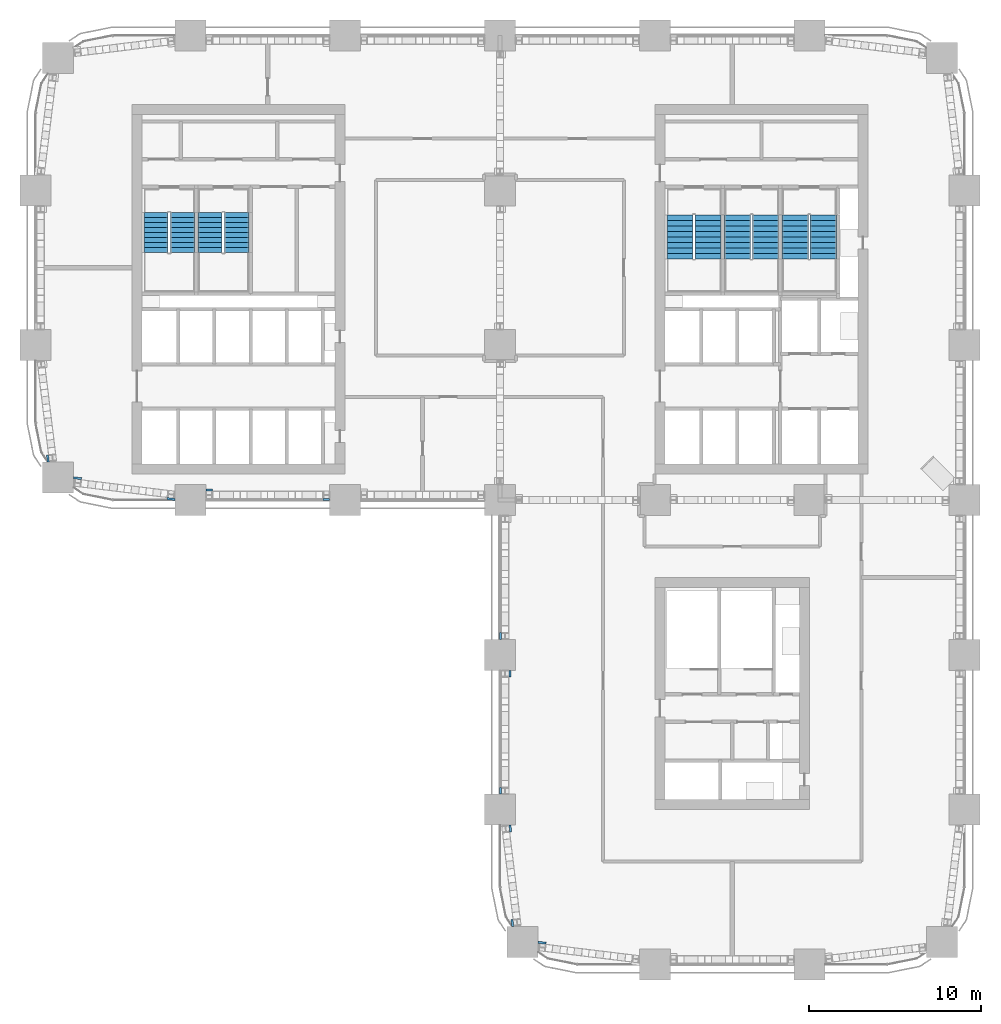
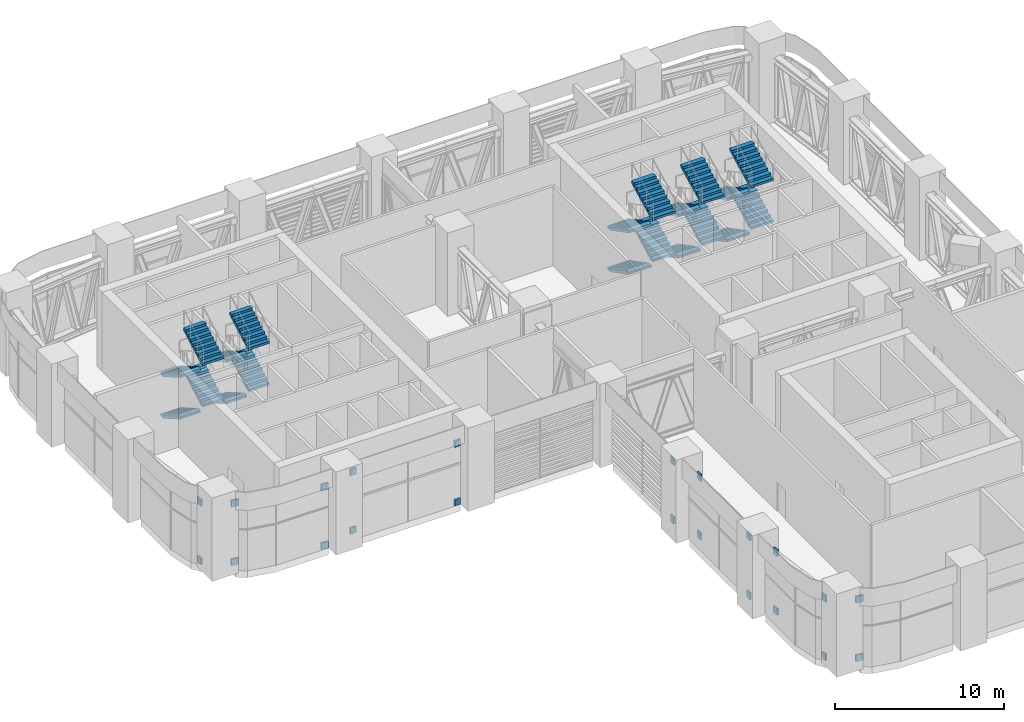
# One storey, part 19 of 24: 22 discrete accessories, 20 stair flights, 5 elements without a shape of their own.
"""IFC4 building model written with IfcOpenShell, lengths in metres."""

from ifc_helpers import new_model, si_unit, direction, frame, origin, place, context, subcontext, project, spatial, polyline, outline, extrude, material, type_object, element, aggregate, save


model = new_model("IFC4")

# Units and contexts
model_context = context("Model", 3, precision=1e-05, world=origin(), true_north=direction((0.0, 1.0)))
body_context = subcontext(model_context, "Body", "Model", "MODEL_VIEW")
ifc_project = project(units=[si_unit("LENGTHUNIT", "METRE"), si_unit("AREAUNIT", "SQUARE_METRE"), si_unit("VOLUMEUNIT", "CUBIC_METRE"), si_unit("PLANEANGLEUNIT", "RADIAN"), si_unit("MASSUNIT", "GRAM", prefix="KILO")], contexts=[model_context])

# Site, building, storey
site_placement = place(None, origin())
site = spatial("IfcSite", under=ifc_project, at=site_placement, CompositionType="ELEMENT")
building_placement = place(site_placement, origin())
building = spatial("IfcBuilding", under=site, at=building_placement, Name="Tessera Arch", CompositionType="ELEMENT")
storey_placement = place(building_placement, frame((0.0, 0.0, 123.39990234375)))
storey = spatial("IfcBuildingStorey", under=building, at=storey_placement, Name="L29", CompositionType="ELEMENT", Elevation=123.39990234375)

# Stair, stair flights
ifc_material_1 = material(Name="Concrete C40/50", Category="concrete")
stair_type_1 = type_object("IfcStairType", Name="Dogleg stair 1400", PredefinedType="HALF_TURN_STAIR", material=ifc_material_1)
stair_1_placement = place(storey_placement, origin())
stair_1 = element("IfcStair", 1, at=stair_1_placement, inside=storey, type_object=stair_type_1, Name="L29 S2a", PredefinedType="HALF_TURN_STAIR")
ifc_material_2 = material(Name="Concrete C40/50", Category="concrete")
stair_flight_type_1 = type_object("IfcStairFlightType", Name="Stair flight 1400", PredefinedType="STRAIGHT", material=ifc_material_2)
stair_flight_1_placement = place(storey_placement, frame((7.0, 43.699951171875, 0.0), z_axis=(0.0, 0.0, 1.0), x_axis=(0.0, -1.0, 0.0)))
stair_flight_1 = element("IfcStairFlight", 2, at=stair_flight_1_placement, type_object=stair_flight_type_1, Name="S2a flight 1", NumberOfRisers=9, NumberOfTreads=8, PredefinedType="STRAIGHT", RiserHeight=0.166666667, TreadLength=0.29, context=body_context, shape_type="SweptSolid", body=[
    extrude(outline(polyline([(0.0, 0.0), (0.0, 0.166748046875), (0.2900390625, 0.166748046875), (0.2900390625, 0.333251953125), (0.580078125, 0.333251953125), (0.580078125, 0.5), (0.8701171875, 0.5), (0.8701171875, 0.666748046875), (1.159912109375, 0.666748046875), (1.159912109375, 0.833251953125), (1.449951171875, 0.833251953125), (1.449951171875, 1.0), (1.739990234375, 1.0), (1.739990234375, 1.166748046875), (2.030029296875, 1.166748046875), (2.030029296875, 1.333251953125), (2.320068359375, 1.333251953125), (2.320068359375, 1.5), (2.320068359375, 1.160400390625), (0.30078125, 0.0), (0.0, 0.0)])), frame((0.0, 0.699951171875, 0.0), z_axis=(0.0, -1.0, 0.0), x_axis=(1.0, 0.0, 0.0)), (0.0, 0.0, 1.0), 1.39990234375),
])
stair_flight_2_placement = place(storey_placement, frame((8.550048828125, 41.3798828125, 1.5), z_axis=(0.0, 0.0, 1.0), x_axis=(0.0, 1.0, 0.0)))
stair_flight_2 = element("IfcStairFlight", 3, at=stair_flight_2_placement, type_object=stair_flight_type_1, Name="S2a flight 2", NumberOfRisers=9, NumberOfTreads=8, PredefinedType="STRAIGHT", RiserHeight=0.166666667, TreadLength=0.29, context=body_context, shape_type="SweptSolid", body=[
    extrude(outline(polyline([(0.0, 0.0), (0.0, 0.166748046875), (0.2900390625, 0.166748046875), (0.2900390625, 0.333251953125), (0.580078125, 0.333251953125), (0.580078125, 0.5), (0.8701171875, 0.5), (0.8701171875, 0.666748046875), (1.159912109375, 0.666748046875), (1.159912109375, 0.833251953125), (1.449951171875, 0.833251953125), (1.449951171875, 1.0), (1.739990234375, 1.0), (1.739990234375, 1.166748046875), (2.030029296875, 1.166748046875), (2.030029296875, 1.333251953125), (2.320068359375, 1.333251953125), (2.320068359375, 1.5), (2.320068359375, 1.160400390625), (0.30078125, 0.0), (0.0, 0.0)])), frame((0.0, 0.699951171875, 0.0), z_axis=(0.0, -1.0, 0.0), x_axis=(1.0, 0.0, 0.0)), (0.0, 0.0, 1.0), 1.39990234375),
])
stair_flight_3_placement = place(storey_placement, frame((7.0, 43.699951171875, 3.0), z_axis=(0.0, 0.0, 1.0), x_axis=(0.0, -1.0, 0.0)))
stair_flight_3 = element("IfcStairFlight", 4, at=stair_flight_3_placement, type_object=stair_flight_type_1, Name="S2a flight 3", NumberOfRisers=9, NumberOfTreads=8, PredefinedType="STRAIGHT", RiserHeight=0.166666667, TreadLength=0.29, context=body_context, shape_type="SweptSolid", body=[
    extrude(outline(polyline([(0.0, 0.0), (0.0, 0.166748046875), (0.2900390625, 0.166748046875), (0.2900390625, 0.333251953125), (0.580078125, 0.333251953125), (0.580078125, 0.5), (0.8701171875, 0.5), (0.8701171875, 0.666748046875), (1.159912109375, 0.666748046875), (1.159912109375, 0.833251953125), (1.449951171875, 0.833251953125), (1.449951171875, 1.0), (1.739990234375, 1.0), (1.739990234375, 1.166748046875), (2.030029296875, 1.166748046875), (2.030029296875, 1.333251953125), (2.320068359375, 1.333251953125), (2.320068359375, 1.5), (2.320068359375, 1.160400390625), (0.30078125, 0.0), (0.0, 0.0)])), frame((0.0, 0.699951171875, 0.0), z_axis=(0.0, -1.0, 0.0), x_axis=(1.0, 0.0, 0.0)), (0.0, 0.0, 1.0), 1.39990234375),
])
stair_flight_4_placement = place(storey_placement, frame((8.550048828125, 41.3798828125, 4.5), z_axis=(0.0, 0.0, 1.0), x_axis=(0.0, 1.0, 0.0)))
stair_flight_4 = element("IfcStairFlight", 5, at=stair_flight_4_placement, type_object=stair_flight_type_1, Name="S2a flight 4", NumberOfRisers=9, NumberOfTreads=8, PredefinedType="STRAIGHT", RiserHeight=0.166666667, TreadLength=0.29, context=body_context, shape_type="SweptSolid", body=[
    extrude(outline(polyline([(0.0, 0.0), (0.0, 0.166748046875), (0.2900390625, 0.166748046875), (0.2900390625, 0.333251953125), (0.580078125, 0.333251953125), (0.580078125, 0.5), (0.8701171875, 0.5), (0.8701171875, 0.666748046875), (1.159912109375, 0.666748046875), (1.159912109375, 0.833251953125), (1.449951171875, 0.833251953125), (1.449951171875, 1.0), (1.739990234375, 1.0), (1.739990234375, 1.166748046875), (2.030029296875, 1.166748046875), (2.030029296875, 1.333251953125), (2.320068359375, 1.333251953125), (2.320068359375, 1.5), (2.320068359375, 1.160400390625), (0.30078125, 0.0), (0.0, 0.0)])), frame((0.0, 0.699951171875, 0.0), z_axis=(0.0, -1.0, 0.0), x_axis=(1.0, 0.0, 0.0)), (0.0, 0.0, 1.0), 1.39990234375),
])
aggregate(stair_1, [stair_flight_1, stair_flight_2, stair_flight_3, stair_flight_4])

stair_2_placement = place(storey_placement, origin())
stair_2 = element("IfcStair", 6, at=stair_2_placement, inside=storey, type_object=stair_type_1, Name="L29 S2b", PredefinedType="HALF_TURN_STAIR")
stair_flight_5_placement = place(storey_placement, frame((10.14990234375, 43.699951171875, 0.0), z_axis=(0.0, 0.0, 1.0), x_axis=(0.0, -1.0, 0.0)))
stair_flight_5 = element("IfcStairFlight", 7, at=stair_flight_5_placement, type_object=stair_flight_type_1, Name="S2b flight 1", NumberOfRisers=9, NumberOfTreads=8, PredefinedType="STRAIGHT", RiserHeight=0.166666667, TreadLength=0.29, context=body_context, shape_type="SweptSolid", body=[
    extrude(outline(polyline([(0.0, 0.0), (0.0, 0.166748046875), (0.2900390625, 0.166748046875), (0.2900390625, 0.333251953125), (0.580078125, 0.333251953125), (0.580078125, 0.5), (0.8701171875, 0.5), (0.8701171875, 0.666748046875), (1.159912109375, 0.666748046875), (1.159912109375, 0.833251953125), (1.449951171875, 0.833251953125), (1.449951171875, 1.0), (1.739990234375, 1.0), (1.739990234375, 1.166748046875), (2.030029296875, 1.166748046875), (2.030029296875, 1.333251953125), (2.320068359375, 1.333251953125), (2.320068359375, 1.5), (2.320068359375, 1.160400390625), (0.30078125, 0.0), (0.0, 0.0)])), frame((0.0, 0.699951171875, 0.0), z_axis=(0.0, -1.0, 0.0), x_axis=(1.0, 0.0, 0.0)), (0.0, 0.0, 1.0), 1.39990234375),
])
stair_flight_6_placement = place(storey_placement, frame((11.699951171875, 41.3798828125, 1.5), z_axis=(0.0, 0.0, 1.0), x_axis=(0.0, 1.0, 0.0)))
stair_flight_6 = element("IfcStairFlight", 8, at=stair_flight_6_placement, type_object=stair_flight_type_1, Name="S2b flight 2", NumberOfRisers=9, NumberOfTreads=8, PredefinedType="STRAIGHT", RiserHeight=0.166666667, TreadLength=0.29, context=body_context, shape_type="SweptSolid", body=[
    extrude(outline(polyline([(0.0, 0.0), (0.0, 0.166748046875), (0.2900390625, 0.166748046875), (0.2900390625, 0.333251953125), (0.580078125, 0.333251953125), (0.580078125, 0.5), (0.8701171875, 0.5), (0.8701171875, 0.666748046875), (1.159912109375, 0.666748046875), (1.159912109375, 0.833251953125), (1.449951171875, 0.833251953125), (1.449951171875, 1.0), (1.739990234375, 1.0), (1.739990234375, 1.166748046875), (2.030029296875, 1.166748046875), (2.030029296875, 1.333251953125), (2.320068359375, 1.333251953125), (2.320068359375, 1.5), (2.320068359375, 1.160400390625), (0.30078125, 0.0), (0.0, 0.0)])), frame((0.0, 0.699951171875, 0.0), z_axis=(0.0, -1.0, 0.0), x_axis=(1.0, 0.0, 0.0)), (0.0, 0.0, 1.0), 1.39990234375),
])
stair_flight_7_placement = place(storey_placement, frame((10.14990234375, 43.699951171875, 3.0), z_axis=(0.0, 0.0, 1.0), x_axis=(0.0, -1.0, 0.0)))
stair_flight_7 = element("IfcStairFlight", 9, at=stair_flight_7_placement, type_object=stair_flight_type_1, Name="S2b flight 3", NumberOfRisers=9, NumberOfTreads=8, PredefinedType="STRAIGHT", RiserHeight=0.166666667, TreadLength=0.29, context=body_context, shape_type="SweptSolid", body=[
    extrude(outline(polyline([(0.0, 0.0), (0.0, 0.166748046875), (0.2900390625, 0.166748046875), (0.2900390625, 0.333251953125), (0.580078125, 0.333251953125), (0.580078125, 0.5), (0.8701171875, 0.5), (0.8701171875, 0.666748046875), (1.159912109375, 0.666748046875), (1.159912109375, 0.833251953125), (1.449951171875, 0.833251953125), (1.449951171875, 1.0), (1.739990234375, 1.0), (1.739990234375, 1.166748046875), (2.030029296875, 1.166748046875), (2.030029296875, 1.333251953125), (2.320068359375, 1.333251953125), (2.320068359375, 1.5), (2.320068359375, 1.160400390625), (0.30078125, 0.0), (0.0, 0.0)])), frame((0.0, 0.699951171875, 0.0), z_axis=(0.0, -1.0, 0.0), x_axis=(1.0, 0.0, 0.0)), (0.0, 0.0, 1.0), 1.39990234375),
])
stair_flight_8_placement = place(storey_placement, frame((11.699951171875, 41.3798828125, 4.5), z_axis=(0.0, 0.0, 1.0), x_axis=(0.0, 1.0, 0.0)))
stair_flight_8 = element("IfcStairFlight", 10, at=stair_flight_8_placement, type_object=stair_flight_type_1, Name="S2b flight 4", NumberOfRisers=9, NumberOfTreads=8, PredefinedType="STRAIGHT", RiserHeight=0.166666667, TreadLength=0.29, context=body_context, shape_type="SweptSolid", body=[
    extrude(outline(polyline([(0.0, 0.0), (0.0, 0.166748046875), (0.2900390625, 0.166748046875), (0.2900390625, 0.333251953125), (0.580078125, 0.333251953125), (0.580078125, 0.5), (0.8701171875, 0.5), (0.8701171875, 0.666748046875), (1.159912109375, 0.666748046875), (1.159912109375, 0.833251953125), (1.449951171875, 0.833251953125), (1.449951171875, 1.0), (1.739990234375, 1.0), (1.739990234375, 1.166748046875), (2.030029296875, 1.166748046875), (2.030029296875, 1.333251953125), (2.320068359375, 1.333251953125), (2.320068359375, 1.5), (2.320068359375, 1.160400390625), (0.30078125, 0.0), (0.0, 0.0)])), frame((0.0, 0.699951171875, 0.0), z_axis=(0.0, -1.0, 0.0), x_axis=(1.0, 0.0, 0.0)), (0.0, 0.0, 1.0), 1.39990234375),
])
aggregate(stair_2, [stair_flight_5, stair_flight_6, stair_flight_7, stair_flight_8])

ifc_material_3 = material(Name="Concrete C40/50", Category="concrete")
stair_type_2 = type_object("IfcStairType", Name="Dogleg stair 1520", PredefinedType="HALF_TURN_STAIR", material=ifc_material_3)
stair_3_placement = place(storey_placement, origin())
stair_3 = element("IfcStair", 11, at=stair_3_placement, inside=storey, type_object=stair_type_2, Name="L29 S1a", PredefinedType="HALF_TURN_STAIR")
ifc_material_4 = material(Name="Concrete C40/50", Category="concrete")
stair_flight_type_2 = type_object("IfcStairFlightType", Name="Stair flight 1520", PredefinedType="STRAIGHT", material=ifc_material_4)
stair_flight_9_placement = place(storey_placement, frame((37.4599609375, 43.580078125, 0.0), z_axis=(0.0, 0.0, 1.0), x_axis=(0.0, -1.0, 0.0)))
stair_flight_9 = element("IfcStairFlight", 12, at=stair_flight_9_placement, type_object=stair_flight_type_2, Name="S1a flight 1", NumberOfRisers=9, NumberOfTreads=8, PredefinedType="STRAIGHT", RiserHeight=0.166666667, TreadLength=0.32, context=body_context, shape_type="SweptSolid", body=[
    extrude(outline(polyline([(0.0, 0.0), (0.0, 0.166748046875), (0.320068359375, 0.166748046875), (0.320068359375, 0.333251953125), (0.639892578125, 0.333251953125), (0.639892578125, 0.5), (0.9599609375, 0.5), (0.9599609375, 0.666748046875), (1.280029296875, 0.666748046875), (1.280029296875, 0.833251953125), (1.60009765625, 0.833251953125), (1.60009765625, 1.0), (1.919921875, 1.0), (1.919921875, 1.166748046875), (2.239990234375, 1.166748046875), (2.239990234375, 1.333251953125), (2.56005859375, 1.333251953125), (2.56005859375, 1.5), (2.56005859375, 1.164306640625), (0.324462890625, 0.0), (0.0, 0.0)])), frame((0.0, 0.760009765625, 0.0), z_axis=(0.0, -1.0, 0.0), x_axis=(1.0, 0.0, 0.0)), (0.0, 0.0, 1.0), 1.52001953125),
])
stair_flight_10_placement = place(storey_placement, frame((39.090087890625, 41.02001953125, 1.5), z_axis=(0.0, 0.0, 1.0), x_axis=(0.0, 1.0, 0.0)))
stair_flight_10 = element("IfcStairFlight", 13, at=stair_flight_10_placement, type_object=stair_flight_type_2, Name="S1a flight 2", NumberOfRisers=9, NumberOfTreads=8, PredefinedType="STRAIGHT", RiserHeight=0.166666667, TreadLength=0.32, context=body_context, shape_type="SweptSolid", body=[
    extrude(outline(polyline([(0.0, 0.0), (0.0, 0.166748046875), (0.320068359375, 0.166748046875), (0.320068359375, 0.333251953125), (0.639892578125, 0.333251953125), (0.639892578125, 0.5), (0.9599609375, 0.5), (0.9599609375, 0.666748046875), (1.280029296875, 0.666748046875), (1.280029296875, 0.833251953125), (1.60009765625, 0.833251953125), (1.60009765625, 1.0), (1.919921875, 1.0), (1.919921875, 1.166748046875), (2.239990234375, 1.166748046875), (2.239990234375, 1.333251953125), (2.56005859375, 1.333251953125), (2.56005859375, 1.5), (2.56005859375, 1.164306640625), (0.324462890625, 0.0), (0.0, 0.0)])), frame((0.0, 0.760009765625, 0.0), z_axis=(0.0, -1.0, 0.0), x_axis=(1.0, 0.0, 0.0)), (0.0, 0.0, 1.0), 1.52001953125),
])
stair_flight_11_placement = place(storey_placement, frame((37.4599609375, 43.580078125, 3.0), z_axis=(0.0, 0.0, 1.0), x_axis=(0.0, -1.0, 0.0)))
stair_flight_11 = element("IfcStairFlight", 14, at=stair_flight_11_placement, type_object=stair_flight_type_2, Name="S1a flight 3", NumberOfRisers=9, NumberOfTreads=8, PredefinedType="STRAIGHT", RiserHeight=0.166666667, TreadLength=0.32, context=body_context, shape_type="SweptSolid", body=[
    extrude(outline(polyline([(0.0, 0.0), (0.0, 0.166748046875), (0.320068359375, 0.166748046875), (0.320068359375, 0.333251953125), (0.639892578125, 0.333251953125), (0.639892578125, 0.5), (0.9599609375, 0.5), (0.9599609375, 0.666748046875), (1.280029296875, 0.666748046875), (1.280029296875, 0.833251953125), (1.60009765625, 0.833251953125), (1.60009765625, 1.0), (1.919921875, 1.0), (1.919921875, 1.166748046875), (2.239990234375, 1.166748046875), (2.239990234375, 1.333251953125), (2.56005859375, 1.333251953125), (2.56005859375, 1.5), (2.56005859375, 1.164306640625), (0.324462890625, 0.0), (0.0, 0.0)])), frame((0.0, 0.760009765625, 0.0), z_axis=(0.0, -1.0, 0.0), x_axis=(1.0, 0.0, 0.0)), (0.0, 0.0, 1.0), 1.52001953125),
])
stair_flight_12_placement = place(storey_placement, frame((39.090087890625, 41.02001953125, 4.5), z_axis=(0.0, 0.0, 1.0), x_axis=(0.0, 1.0, 0.0)))
stair_flight_12 = element("IfcStairFlight", 15, at=stair_flight_12_placement, type_object=stair_flight_type_2, Name="S1a flight 4", NumberOfRisers=9, NumberOfTreads=8, PredefinedType="STRAIGHT", RiserHeight=0.166666667, TreadLength=0.32, context=body_context, shape_type="SweptSolid", body=[
    extrude(outline(polyline([(0.0, 0.0), (0.0, 0.166748046875), (0.320068359375, 0.166748046875), (0.320068359375, 0.333251953125), (0.639892578125, 0.333251953125), (0.639892578125, 0.5), (0.9599609375, 0.5), (0.9599609375, 0.666748046875), (1.280029296875, 0.666748046875), (1.280029296875, 0.833251953125), (1.60009765625, 0.833251953125), (1.60009765625, 1.0), (1.919921875, 1.0), (1.919921875, 1.166748046875), (2.239990234375, 1.166748046875), (2.239990234375, 1.333251953125), (2.56005859375, 1.333251953125), (2.56005859375, 1.5), (2.56005859375, 1.164306640625), (0.324462890625, 0.0), (0.0, 0.0)])), frame((0.0, 0.760009765625, 0.0), z_axis=(0.0, -1.0, 0.0), x_axis=(1.0, 0.0, 0.0)), (0.0, 0.0, 1.0), 1.52001953125),
])
aggregate(stair_3, [stair_flight_9, stair_flight_10, stair_flight_11, stair_flight_12])

stair_4_placement = place(storey_placement, origin())
stair_4 = element("IfcStair", 16, at=stair_4_placement, inside=storey, type_object=stair_type_2, Name="L29 S1b", PredefinedType="HALF_TURN_STAIR")
stair_flight_13_placement = place(storey_placement, frame((40.81005859375, 43.580078125, 0.0), z_axis=(0.0, 0.0, 1.0), x_axis=(0.0, -1.0, 0.0)))
stair_flight_13 = element("IfcStairFlight", 17, at=stair_flight_13_placement, type_object=stair_flight_type_2, Name="S1b flight 1", NumberOfRisers=9, NumberOfTreads=8, PredefinedType="STRAIGHT", RiserHeight=0.166666667, TreadLength=0.32, context=body_context, shape_type="SweptSolid", body=[
    extrude(outline(polyline([(0.0, 0.0), (0.0, 0.166748046875), (0.320068359375, 0.166748046875), (0.320068359375, 0.333251953125), (0.639892578125, 0.333251953125), (0.639892578125, 0.5), (0.9599609375, 0.5), (0.9599609375, 0.666748046875), (1.280029296875, 0.666748046875), (1.280029296875, 0.833251953125), (1.60009765625, 0.833251953125), (1.60009765625, 1.0), (1.919921875, 1.0), (1.919921875, 1.166748046875), (2.239990234375, 1.166748046875), (2.239990234375, 1.333251953125), (2.56005859375, 1.333251953125), (2.56005859375, 1.5), (2.56005859375, 1.164306640625), (0.324462890625, 0.0), (0.0, 0.0)])), frame((0.0, 0.760009765625, 0.0), z_axis=(0.0, -1.0, 0.0), x_axis=(1.0, 0.0, 0.0)), (0.0, 0.0, 1.0), 1.52001953125),
])
stair_flight_14_placement = place(storey_placement, frame((42.43994140625, 41.02001953125, 1.5), z_axis=(0.0, 0.0, 1.0), x_axis=(0.0, 1.0, 0.0)))
stair_flight_14 = element("IfcStairFlight", 18, at=stair_flight_14_placement, type_object=stair_flight_type_2, Name="S1b flight 2", NumberOfRisers=9, NumberOfTreads=8, PredefinedType="STRAIGHT", RiserHeight=0.166666667, TreadLength=0.32, context=body_context, shape_type="SweptSolid", body=[
    extrude(outline(polyline([(0.0, 0.0), (0.0, 0.166748046875), (0.320068359375, 0.166748046875), (0.320068359375, 0.333251953125), (0.639892578125, 0.333251953125), (0.639892578125, 0.5), (0.9599609375, 0.5), (0.9599609375, 0.666748046875), (1.280029296875, 0.666748046875), (1.280029296875, 0.833251953125), (1.60009765625, 0.833251953125), (1.60009765625, 1.0), (1.919921875, 1.0), (1.919921875, 1.166748046875), (2.239990234375, 1.166748046875), (2.239990234375, 1.333251953125), (2.56005859375, 1.333251953125), (2.56005859375, 1.5), (2.56005859375, 1.164306640625), (0.324462890625, 0.0), (0.0, 0.0)])), frame((0.0, 0.760009765625, 0.0), z_axis=(0.0, -1.0, 0.0), x_axis=(1.0, 0.0, 0.0)), (0.0, 0.0, 1.0), 1.52001953125),
])
stair_flight_15_placement = place(storey_placement, frame((40.81005859375, 43.580078125, 3.0), z_axis=(0.0, 0.0, 1.0), x_axis=(0.0, -1.0, 0.0)))
stair_flight_15 = element("IfcStairFlight", 19, at=stair_flight_15_placement, type_object=stair_flight_type_2, Name="S1b flight 3", NumberOfRisers=9, NumberOfTreads=8, PredefinedType="STRAIGHT", RiserHeight=0.166666667, TreadLength=0.32, context=body_context, shape_type="SweptSolid", body=[
    extrude(outline(polyline([(0.0, 0.0), (0.0, 0.166748046875), (0.320068359375, 0.166748046875), (0.320068359375, 0.333251953125), (0.639892578125, 0.333251953125), (0.639892578125, 0.5), (0.9599609375, 0.5), (0.9599609375, 0.666748046875), (1.280029296875, 0.666748046875), (1.280029296875, 0.833251953125), (1.60009765625, 0.833251953125), (1.60009765625, 1.0), (1.919921875, 1.0), (1.919921875, 1.166748046875), (2.239990234375, 1.166748046875), (2.239990234375, 1.333251953125), (2.56005859375, 1.333251953125), (2.56005859375, 1.5), (2.56005859375, 1.164306640625), (0.324462890625, 0.0), (0.0, 0.0)])), frame((0.0, 0.760009765625, 0.0), z_axis=(0.0, -1.0, 0.0), x_axis=(1.0, 0.0, 0.0)), (0.0, 0.0, 1.0), 1.52001953125),
])
stair_flight_16_placement = place(storey_placement, frame((42.43994140625, 41.02001953125, 4.5), z_axis=(0.0, 0.0, 1.0), x_axis=(0.0, 1.0, 0.0)))
stair_flight_16 = element("IfcStairFlight", 20, at=stair_flight_16_placement, type_object=stair_flight_type_2, Name="S1b flight 4", NumberOfRisers=9, NumberOfTreads=8, PredefinedType="STRAIGHT", RiserHeight=0.166666667, TreadLength=0.32, context=body_context, shape_type="SweptSolid", body=[
    extrude(outline(polyline([(0.0, 0.0), (0.0, 0.166748046875), (0.320068359375, 0.166748046875), (0.320068359375, 0.333251953125), (0.639892578125, 0.333251953125), (0.639892578125, 0.5), (0.9599609375, 0.5), (0.9599609375, 0.666748046875), (1.280029296875, 0.666748046875), (1.280029296875, 0.833251953125), (1.60009765625, 0.833251953125), (1.60009765625, 1.0), (1.919921875, 1.0), (1.919921875, 1.166748046875), (2.239990234375, 1.166748046875), (2.239990234375, 1.333251953125), (2.56005859375, 1.333251953125), (2.56005859375, 1.5), (2.56005859375, 1.164306640625), (0.324462890625, 0.0), (0.0, 0.0)])), frame((0.0, 0.760009765625, 0.0), z_axis=(0.0, -1.0, 0.0), x_axis=(1.0, 0.0, 0.0)), (0.0, 0.0, 1.0), 1.52001953125),
])
aggregate(stair_4, [stair_flight_13, stair_flight_14, stair_flight_15, stair_flight_16])

stair_5_placement = place(storey_placement, origin())
stair_5 = element("IfcStair", 21, at=stair_5_placement, inside=storey, type_object=stair_type_2, Name="L29 S1c", PredefinedType="HALF_TURN_STAIR")
stair_flight_17_placement = place(storey_placement, frame((44.159912109375, 43.580078125, 0.0), z_axis=(0.0, 0.0, 1.0), x_axis=(0.0, -1.0, 0.0)))
stair_flight_17 = element("IfcStairFlight", 22, at=stair_flight_17_placement, type_object=stair_flight_type_2, Name="S1c flight 1", NumberOfRisers=9, NumberOfTreads=8, PredefinedType="STRAIGHT", RiserHeight=0.166666667, TreadLength=0.32, context=body_context, shape_type="SweptSolid", body=[
    extrude(outline(polyline([(0.0, 0.0), (0.0, 0.166748046875), (0.320068359375, 0.166748046875), (0.320068359375, 0.333251953125), (0.639892578125, 0.333251953125), (0.639892578125, 0.5), (0.9599609375, 0.5), (0.9599609375, 0.666748046875), (1.280029296875, 0.666748046875), (1.280029296875, 0.833251953125), (1.60009765625, 0.833251953125), (1.60009765625, 1.0), (1.919921875, 1.0), (1.919921875, 1.166748046875), (2.239990234375, 1.166748046875), (2.239990234375, 1.333251953125), (2.56005859375, 1.333251953125), (2.56005859375, 1.5), (2.56005859375, 1.164306640625), (0.324462890625, 0.0), (0.0, 0.0)])), frame((0.0, 0.760009765625, 0.0), z_axis=(0.0, -1.0, 0.0), x_axis=(1.0, 0.0, 0.0)), (0.0, 0.0, 1.0), 1.52001953125),
])
stair_flight_18_placement = place(storey_placement, frame((45.7900390625, 41.02001953125, 1.5), z_axis=(0.0, 0.0, 1.0), x_axis=(0.0, 1.0, 0.0)))
stair_flight_18 = element("IfcStairFlight", 23, at=stair_flight_18_placement, type_object=stair_flight_type_2, Name="S1c flight 2", NumberOfRisers=9, NumberOfTreads=8, PredefinedType="STRAIGHT", RiserHeight=0.166666667, TreadLength=0.32, context=body_context, shape_type="SweptSolid", body=[
    extrude(outline(polyline([(0.0, 0.0), (0.0, 0.166748046875), (0.320068359375, 0.166748046875), (0.320068359375, 0.333251953125), (0.639892578125, 0.333251953125), (0.639892578125, 0.5), (0.9599609375, 0.5), (0.9599609375, 0.666748046875), (1.280029296875, 0.666748046875), (1.280029296875, 0.833251953125), (1.60009765625, 0.833251953125), (1.60009765625, 1.0), (1.919921875, 1.0), (1.919921875, 1.166748046875), (2.239990234375, 1.166748046875), (2.239990234375, 1.333251953125), (2.56005859375, 1.333251953125), (2.56005859375, 1.5), (2.56005859375, 1.164306640625), (0.324462890625, 0.0), (0.0, 0.0)])), frame((0.0, 0.760009765625, 0.0), z_axis=(0.0, -1.0, 0.0), x_axis=(1.0, 0.0, 0.0)), (0.0, 0.0, 1.0), 1.52001953125),
])
stair_flight_19_placement = place(storey_placement, frame((44.159912109375, 43.580078125, 3.0), z_axis=(0.0, 0.0, 1.0), x_axis=(0.0, -1.0, 0.0)))
stair_flight_19 = element("IfcStairFlight", 24, at=stair_flight_19_placement, type_object=stair_flight_type_2, Name="S1c flight 3", NumberOfRisers=9, NumberOfTreads=8, PredefinedType="STRAIGHT", RiserHeight=0.166666667, TreadLength=0.32, context=body_context, shape_type="SweptSolid", body=[
    extrude(outline(polyline([(0.0, 0.0), (0.0, 0.166748046875), (0.320068359375, 0.166748046875), (0.320068359375, 0.333251953125), (0.639892578125, 0.333251953125), (0.639892578125, 0.5), (0.9599609375, 0.5), (0.9599609375, 0.666748046875), (1.280029296875, 0.666748046875), (1.280029296875, 0.833251953125), (1.60009765625, 0.833251953125), (1.60009765625, 1.0), (1.919921875, 1.0), (1.919921875, 1.166748046875), (2.239990234375, 1.166748046875), (2.239990234375, 1.333251953125), (2.56005859375, 1.333251953125), (2.56005859375, 1.5), (2.56005859375, 1.164306640625), (0.324462890625, 0.0), (0.0, 0.0)])), frame((0.0, 0.760009765625, 0.0), z_axis=(0.0, -1.0, 0.0), x_axis=(1.0, 0.0, 0.0)), (0.0, 0.0, 1.0), 1.52001953125),
])
stair_flight_20_placement = place(storey_placement, frame((45.7900390625, 41.02001953125, 4.5), z_axis=(0.0, 0.0, 1.0), x_axis=(0.0, 1.0, 0.0)))
stair_flight_20 = element("IfcStairFlight", 25, at=stair_flight_20_placement, type_object=stair_flight_type_2, Name="S1c flight 4", NumberOfRisers=9, NumberOfTreads=8, PredefinedType="STRAIGHT", RiserHeight=0.166666667, TreadLength=0.32, context=body_context, shape_type="SweptSolid", body=[
    extrude(outline(polyline([(0.0, 0.0), (0.0, 0.166748046875), (0.320068359375, 0.166748046875), (0.320068359375, 0.333251953125), (0.639892578125, 0.333251953125), (0.639892578125, 0.5), (0.9599609375, 0.5), (0.9599609375, 0.666748046875), (1.280029296875, 0.666748046875), (1.280029296875, 0.833251953125), (1.60009765625, 0.833251953125), (1.60009765625, 1.0), (1.919921875, 1.0), (1.919921875, 1.166748046875), (2.239990234375, 1.166748046875), (2.239990234375, 1.333251953125), (2.56005859375, 1.333251953125), (2.56005859375, 1.5), (2.56005859375, 1.164306640625), (0.324462890625, 0.0), (0.0, 0.0)])), frame((0.0, 0.760009765625, 0.0), z_axis=(0.0, -1.0, 0.0), x_axis=(1.0, 0.0, 0.0)), (0.0, 0.0, 1.0), 1.52001953125),
])
aggregate(stair_5, [stair_flight_17, stair_flight_18, stair_flight_19, stair_flight_20])

# Discrete accessories
for number, where, name in (
    (26, (0.0, 0.0, 4.225830078125), "Chord seat bracket"),
    (27, (0.0, 0.0, 0.0), "Chord seat bracket"),
):
    element("IfcDiscreteAccessory", number, at=place(storey_placement, frame(where)), inside=storey, Name=name, PredefinedType="BRACKET", context=body_context, shape_type="SweptSolid", body=[
        extrude(outline(polyline([(0.684326171875, 29.218017578125), (0.636474609375, 29.611083984375), (0.755615234375, 29.625732421875), (0.805419921875, 29.218017578125), (0.684326171875, 29.218017578125)])), origin(), (0.0, 0.0, 1.0), 0.474365234375),
    ])
discrete_accessory_1_placement = place(storey_placement, frame((0.0, 0.0, 4.225830078125)))
element("IfcDiscreteAccessory", 28, at=discrete_accessory_1_placement, inside=storey, Name="Chord seat bracket", PredefinedType="BRACKET", context=body_context, shape_type="SweptSolid", body=[
    extrude(outline(polyline([(2.218017578125, 28.353515625), (2.69140625, 28.295654296875), (2.677001953125, 28.176513671875), (2.218017578125, 28.232421875), (2.218017578125, 28.353515625)])), origin(), (0.0, 0.0, 1.0), 0.474365234375),
])
discrete_accessory_2_placement = place(storey_placement, frame((0.0, 0.0, 4.225830078125)))
element("IfcDiscreteAccessory", 29, at=discrete_accessory_2_placement, inside=storey, Name="Chord seat bracket", PredefinedType="BRACKET", context=body_context, shape_type="SweptSolid", body=[
    extrude(outline(polyline([(7.651611328125, 27.143310546875), (8.10009765625, 27.088623046875), (8.10009765625, 26.9677734375), (7.63720703125, 27.024169921875), (7.651611328125, 27.143310546875)])), origin(), (0.0, 0.0, 1.0), 0.474365234375),
])
discrete_accessory_3_placement = place(storey_placement, origin())
element("IfcDiscreteAccessory", 30, at=discrete_accessory_3_placement, inside=storey, Name="Chord seat bracket", PredefinedType="BRACKET", context=body_context, shape_type="SweptSolid", body=[
    extrude(outline(polyline([(2.218017578125, 28.353515625), (2.69140625, 28.295654296875), (2.677001953125, 28.176513671875), (2.218017578125, 28.232421875), (2.218017578125, 28.353515625)])), origin(), (0.0, 0.0, 1.0), 0.474365234375),
])
discrete_accessory_4_placement = place(storey_placement, origin())
element("IfcDiscreteAccessory", 31, at=discrete_accessory_4_placement, inside=storey, Name="Chord seat bracket", PredefinedType="BRACKET", context=body_context, shape_type="SweptSolid", body=[
    extrude(outline(polyline([(7.651611328125, 27.143310546875), (8.10009765625, 27.088623046875), (8.10009765625, 26.9677734375), (7.63720703125, 27.024169921875), (7.651611328125, 27.143310546875)])), origin(), (0.0, 0.0, 1.0), 0.474365234375),
])
discrete_accessory_5_placement = place(storey_placement, frame((0.0, 0.0, 4.225830078125)))
element("IfcDiscreteAccessory", 32, at=discrete_accessory_5_placement, inside=storey, Name="Chord seat bracket", PredefinedType="BRACKET", context=body_context, shape_type="SweptSolid", body=[
    extrude(outline(polyline([(10.300048828125, 27.511962890625), (9.89990234375, 27.511962890625), (9.89990234375, 27.632080078125), (10.300048828125, 27.632080078125), (10.300048828125, 27.511962890625)])), origin(), (0.0, 0.0, 1.0), 0.474365234375),
])
discrete_accessory_6_placement = place(storey_placement, frame((0.0, 0.0, 4.225830078125)))
element("IfcDiscreteAccessory", 33, at=discrete_accessory_6_placement, inside=storey, Name="Chord seat bracket", PredefinedType="BRACKET", context=body_context, shape_type="SweptSolid", body=[
    extrude(outline(polyline([(16.699951171875, 27.087890625), (17.10009765625, 27.087890625), (17.10009765625, 26.968017578125), (16.699951171875, 26.968017578125), (16.699951171875, 27.087890625)])), origin(), (0.0, 0.0, 1.0), 0.474365234375),
])
discrete_accessory_7_placement = place(storey_placement, origin())
element("IfcDiscreteAccessory", 34, at=discrete_accessory_7_placement, inside=storey, Name="Chord seat bracket", PredefinedType="BRACKET", context=body_context, shape_type="SweptSolid", body=[
    extrude(outline(polyline([(10.300048828125, 27.511962890625), (9.89990234375, 27.511962890625), (9.89990234375, 27.632080078125), (10.300048828125, 27.632080078125), (10.300048828125, 27.511962890625)])), origin(), (0.0, 0.0, 1.0), 0.474365234375),
])
discrete_accessory_8_placement = place(storey_placement, origin())
element("IfcDiscreteAccessory", 35, at=discrete_accessory_8_placement, inside=storey, Name="Chord seat bracket", PredefinedType="BRACKET", context=body_context, shape_type="SweptSolid", body=[
    extrude(outline(polyline([(16.699951171875, 27.087890625), (17.10009765625, 27.087890625), (17.10009765625, 26.968017578125), (16.699951171875, 26.968017578125), (16.699951171875, 27.087890625)])), origin(), (0.0, 0.0, 1.0), 0.474365234375),
])
for number, where, name in (
    (36, (0.0, 0.0, 4.225830078125), "Chord seat bracket"),
    (37, (0.0, 0.0, 0.0), "Chord seat bracket"),
):
    element("IfcDiscreteAccessory", number, at=place(storey_placement, frame(where)), inside=storey, Name=name, PredefinedType="BRACKET", context=body_context, shape_type="SweptSolid", body=[
        extrude(outline(polyline([(27.087890625, 19.300048828125), (27.087890625, 18.89990234375), (26.968017578125, 18.89990234375), (26.968017578125, 19.300048828125), (27.087890625, 19.300048828125)])), origin(), (0.0, 0.0, 1.0), 0.474365234375),
    ])
discrete_accessory_9_placement = place(storey_placement, frame((0.0, 0.0, 4.225830078125)))
element("IfcDiscreteAccessory", 38, at=discrete_accessory_9_placement, inside=storey, Name="Chord seat bracket", PredefinedType="BRACKET", context=body_context, shape_type="SweptSolid", body=[
    extrude(outline(polyline([(27.511962890625, 16.699951171875), (27.511962890625, 17.10009765625), (27.632080078125, 17.10009765625), (27.632080078125, 16.699951171875), (27.511962890625, 16.699951171875)])), origin(), (0.0, 0.0, 1.0), 0.474365234375),
])
discrete_accessory_10_placement = place(storey_placement, frame((0.0, 0.0, 4.225830078125)))
element("IfcDiscreteAccessory", 39, at=discrete_accessory_10_placement, inside=storey, Name="Chord seat bracket", PredefinedType="BRACKET", context=body_context, shape_type="SweptSolid", body=[
    extrude(outline(polyline([(27.087890625, 9.89990234375), (26.968017578125, 9.89990234375), (26.968017578125, 10.300048828125), (27.087890625, 10.300048828125), (27.087890625, 9.89990234375)])), origin(), (0.0, 0.0, 1.0), 0.474365234375),
])
discrete_accessory_11_placement = place(storey_placement, origin())
element("IfcDiscreteAccessory", 40, at=discrete_accessory_11_placement, inside=storey, Name="Chord seat bracket", PredefinedType="BRACKET", context=body_context, shape_type="SweptSolid", body=[
    extrude(outline(polyline([(27.511962890625, 16.699951171875), (27.511962890625, 17.10009765625), (27.632080078125, 17.10009765625), (27.632080078125, 16.699951171875), (27.511962890625, 16.699951171875)])), origin(), (0.0, 0.0, 1.0), 0.474365234375),
])
discrete_accessory_12_placement = place(storey_placement, origin())
element("IfcDiscreteAccessory", 41, at=discrete_accessory_12_placement, inside=storey, Name="Chord seat bracket", PredefinedType="BRACKET", context=body_context, shape_type="SweptSolid", body=[
    extrude(outline(polyline([(27.087890625, 9.89990234375), (26.968017578125, 9.89990234375), (26.968017578125, 10.300048828125), (27.087890625, 10.300048828125), (27.087890625, 9.89990234375)])), origin(), (0.0, 0.0, 1.0), 0.474365234375),
])
discrete_accessory_13_placement = place(storey_placement, frame((0.0, 0.0, 4.225830078125)))
element("IfcDiscreteAccessory", 42, at=discrete_accessory_13_placement, inside=storey, Name="Chord seat bracket", PredefinedType="BRACKET", context=body_context, shape_type="SweptSolid", body=[
    extrude(outline(polyline([(27.515869140625, 8.10009765625), (27.63671875, 8.10009765625), (27.683349609375, 7.717529296875), (27.564208984375, 7.702880859375), (27.515869140625, 8.10009765625)])), origin(), (0.0, 0.0, 1.0), 0.474365234375),
])
discrete_accessory_14_placement = place(storey_placement, frame((0.0, 0.0, 4.225830078125)))
element("IfcDiscreteAccessory", 43, at=discrete_accessory_14_placement, inside=storey, Name="Chord seat bracket", PredefinedType="BRACKET", context=body_context, shape_type="SweptSolid", body=[
    extrude(outline(polyline([(27.755615234375, 2.625732421875), (27.805419921875, 2.218017578125), (27.684326171875, 2.218017578125), (27.636474609375, 2.611083984375), (27.755615234375, 2.625732421875)])), origin(), (0.0, 0.0, 1.0), 0.474365234375),
])
discrete_accessory_15_placement = place(storey_placement, origin())
element("IfcDiscreteAccessory", 44, at=discrete_accessory_15_placement, inside=storey, Name="Chord seat bracket", PredefinedType="BRACKET", context=body_context, shape_type="SweptSolid", body=[
    extrude(outline(polyline([(27.515869140625, 8.10009765625), (27.63671875, 8.10009765625), (27.683349609375, 7.717529296875), (27.564208984375, 7.702880859375), (27.515869140625, 8.10009765625)])), origin(), (0.0, 0.0, 1.0), 0.474365234375),
])
discrete_accessory_16_placement = place(storey_placement, origin())
element("IfcDiscreteAccessory", 45, at=discrete_accessory_16_placement, inside=storey, Name="Chord seat bracket", PredefinedType="BRACKET", context=body_context, shape_type="SweptSolid", body=[
    extrude(outline(polyline([(27.755615234375, 2.625732421875), (27.805419921875, 2.218017578125), (27.684326171875, 2.218017578125), (27.636474609375, 2.611083984375), (27.755615234375, 2.625732421875)])), origin(), (0.0, 0.0, 1.0), 0.474365234375),
])
for number, where, name in (
    (46, (0.0, 0.0, 4.225830078125), "Chord seat bracket"),
    (47, (0.0, 0.0, 0.0), "Chord seat bracket"),
):
    element("IfcDiscreteAccessory", number, at=place(storey_placement, frame(where)), inside=storey, Name=name, PredefinedType="BRACKET", context=body_context, shape_type="SweptSolid", body=[
        extrude(outline(polyline([(29.677001953125, 1.176513671875), (29.218017578125, 1.232421875), (29.218017578125, 1.353515625), (29.69140625, 1.295654296875), (29.677001953125, 1.176513671875)])), origin(), (0.0, 0.0, 1.0), 0.474365234375),
    ])

save(model, "model.ifc")
